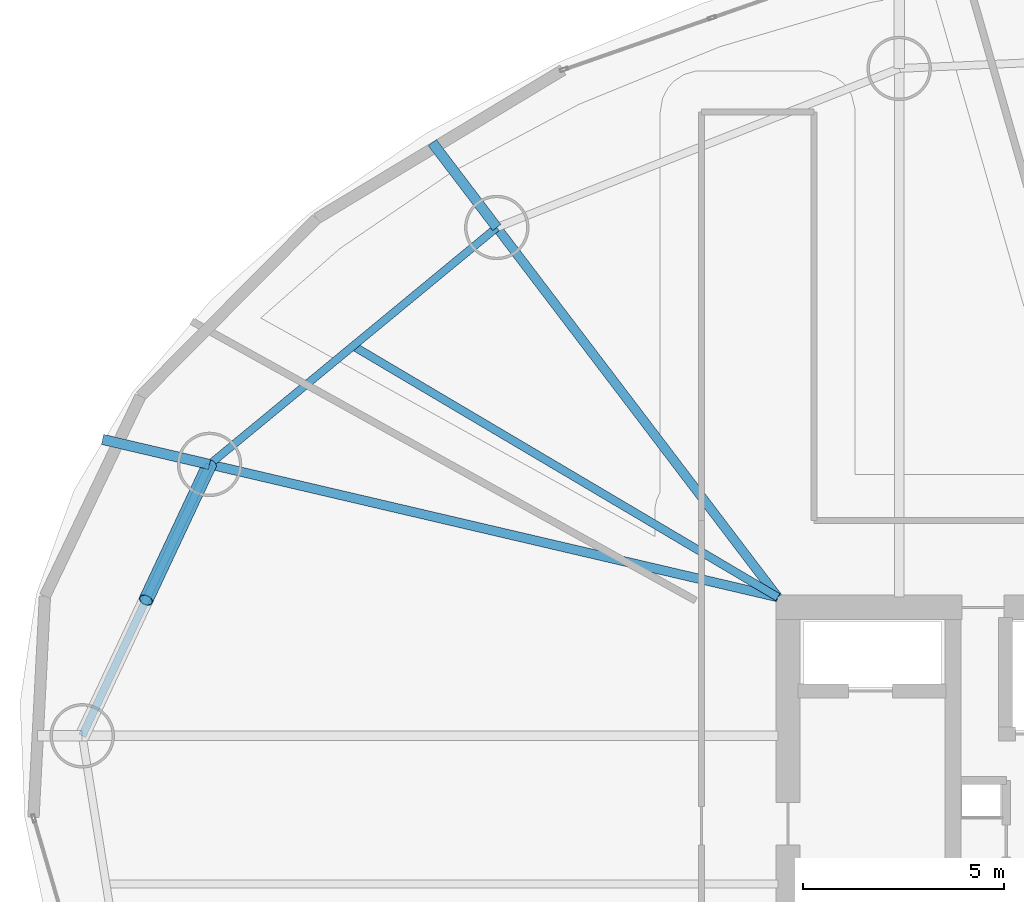
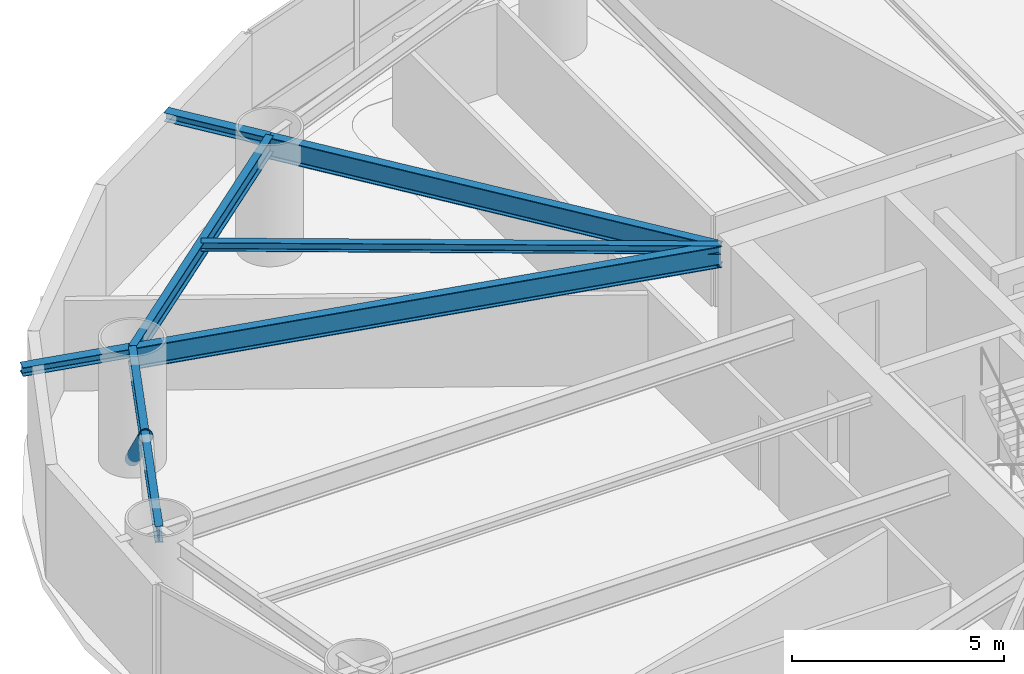
# One storey, part 16 of 30: 7 beams, 1 member.
"""IFC4 building model written with IfcOpenShell, lengths in metres."""

from ifc_helpers import new_model, si_unit, direction, frame, origin, origin_2d, place, context, subcontext, project, spatial, hollow_circle, i_section, extrude, material, material_profile, profile_set, type_object, element, save


model = new_model("IFC4")

# Units and contexts
model_context = context("Model", 3, precision=1e-05, world=origin(), true_north=direction((0.0, 1.0)))
body_context = subcontext(model_context, "Body", "Model", "MODEL_VIEW")
ifc_project = project(units=[si_unit("LENGTHUNIT", "METRE"), si_unit("AREAUNIT", "SQUARE_METRE"), si_unit("VOLUMEUNIT", "CUBIC_METRE"), si_unit("PLANEANGLEUNIT", "RADIAN"), si_unit("MASSUNIT", "GRAM", prefix="KILO")], contexts=[model_context])

# Site, building, storey
site_placement = place(None, origin())
site = spatial("IfcSite", under=ifc_project, at=site_placement, CompositionType="ELEMENT")
building_placement = place(site_placement, origin())
building = spatial("IfcBuilding", under=site, at=building_placement, Name="Bramvorn Convention Spire", CompositionType="ELEMENT")
storey_placement = place(building_placement, frame((0.0, 0.0, 90.39990234375)))
storey = spatial("IfcBuildingStorey", under=building, at=storey_placement, Name="L21", CompositionType="ELEMENT", Elevation=90.39990234375)

# Beams
ifc_material = material(Name="Steel CSA G40.21 Grade 350 (350W)", Category="steel")
ifc_material_profile_1 = material_profile(ifc_material, i_section(OverallWidth=0.201904296875, OverallDepth=0.2470703125, WebThickness=0.00732421875, FlangeThickness=0.010986328125, FilletRadius=0.011962890625, at=origin_2d()))
ifc_profile_set_1 = profile_set([ifc_material_profile_1], Name="Steel CSA G40.21 Grade 350 (350W) - W250X49")
beam_type_1 = type_object("IfcBeamType", Name="BM-W250X49", PredefinedType="JOIST", material=ifc_profile_set_1)
beam_1_placement = place(storey_placement, frame((26.75, 33.449951171875, 3.126708984375), z_axis=(-0.860664556648, 0.509172388223, 0.0), x_axis=(-0.509172388223, -0.860664556648, 0.0)))
element("IfcBeam", 1, at=beam_1_placement, inside=storey, type_object=beam_type_1, Name="L21 composite floor joist 07", PredefinedType="JOIST", context=body_context, shape_type="SweptSolid", body=[
    extrude(i_section(OverallWidth=0.201904296875, OverallDepth=0.2470703125, WebThickness=0.00732421875, FlangeThickness=0.010986328125, FilletRadius=0.011962890625, at=origin_2d()), origin(), (0.0, 0.0, 1.0), 12.25048828125),
])
ifc_material_profile_2 = material_profile(ifc_material, i_section(OverallWidth=0.25390625, OverallDepth=0.2529296875, WebThickness=0.008544921875, FlangeThickness=0.01416015625, FilletRadius=0.011962890625, at=origin_2d()))
ifc_profile_set_2 = profile_set([ifc_material_profile_2], Name="Steel CSA G40.21 Grade 350 (350W) - W250X73")
beam_type_2 = type_object("IfcBeamType", Name="BM-W250X73", PredefinedType="BEAM", material=ifc_profile_set_2)
beam_2_placement = place(storey_placement, frame((19.772216796875, 42.628662109375, 3.12353515625), z_axis=(-0.605186245551, 0.796083920322, 0.0), x_axis=(-0.796083920322, -0.605186245551, 0.0)))
element("IfcBeam", 2, at=beam_2_placement, inside=storey, type_object=beam_type_2, Name="L21 slab-edge cantilever tip beam MC07", PredefinedType="BEAM", context=body_context, shape_type="SweptSolid", body=[
    extrude(i_section(OverallWidth=0.25390625, OverallDepth=0.2529296875, WebThickness=0.008544921875, FlangeThickness=0.01416015625, FilletRadius=0.011962890625, at=origin_2d()), origin(), (0.0, 0.0, 1.0), 2.644775390625),
])
beam_3_placement = place(storey_placement, frame((12.64111328125, 36.746337890625, 3.12353515625), z_axis=(-0.973781082474, 0.227487150002, 0.0), x_axis=(-0.227487150002, -0.973781082474, 0.0)))
element("IfcBeam", 3, at=beam_3_placement, inside=storey, type_object=beam_type_2, Name="L21 slab-edge cantilever tip beam MC08", PredefinedType="BEAM", context=body_context, shape_type="SweptSolid", body=[
    extrude(i_section(OverallWidth=0.25390625, OverallDepth=0.2529296875, WebThickness=0.008544921875, FlangeThickness=0.01416015625, FilletRadius=0.011962890625, at=origin_2d()), origin(), (0.0, 0.0, 1.0), 2.72705078125),
])
ifc_material_profile_3 = material_profile(ifc_material, i_section(OverallWidth=0.194091796875, OverallDepth=0.468994140625, WebThickness=0.0126953125, FlangeThickness=0.0205078125, FilletRadius=0.01806640625, at=origin_2d()))
ifc_profile_set_3 = profile_set([ifc_material_profile_3], Name="Steel CSA G40.21 Grade 350 (350W) - W460X106")
beam_type_3 = type_object("IfcBeamType", Name="BM-W460X106", PredefinedType="SPANDREL", material=ifc_profile_set_3)
beam_4_placement = place(storey_placement, frame((19.772216796875, 42.628662109375, 3.015625), z_axis=(-0.771417680101, -0.636329130896, 0.0), x_axis=(0.636329130896, -0.771417680101, 0.0)))
element("IfcBeam", 4, at=beam_4_placement, inside=storey, type_object=beam_type_3, Name="L21 mega-column ring beam 07", PredefinedType="SPANDREL", context=body_context, shape_type="SweptSolid", body=[
    extrude(i_section(OverallWidth=0.194091796875, OverallDepth=0.468994140625, WebThickness=0.0126953125, FlangeThickness=0.0205078125, FilletRadius=0.01806640625, at=origin_2d()), origin(), (0.0, 0.0, 1.0), 9.244140625),
])
beam_5_placement = place(storey_placement, frame((12.64111328125, 36.746337890625, 3.015625), z_axis=(-0.424701955478, -0.9053332254, 0.0), x_axis=(0.9053332254, -0.424701955478, 0.0)))
element("IfcBeam", 5, at=beam_5_placement, inside=storey, type_object=beam_type_3, Name="L21 mega-column ring beam 08", PredefinedType="SPANDREL", context=body_context, shape_type="SweptSolid", body=[
    extrude(i_section(OverallWidth=0.194091796875, OverallDepth=0.468994140625, WebThickness=0.0126953125, FlangeThickness=0.0205078125, FilletRadius=0.01806640625, at=origin_2d()), origin(), (0.0, 0.0, 1.0), 7.442626953125),
])
ifc_material_profile_4 = material_profile(ifc_material, i_section(OverallWidth=0.22998046875, OverallDepth=0.616943359375, WebThickness=0.01318359375, FlangeThickness=0.022216796875, FilletRadius=0.02001953125, at=origin_2d()))
ifc_profile_set_4 = profile_set([ifc_material_profile_4], Name="Steel CSA G40.21 Grade 350 (350W) - W610X140")
beam_type_4 = type_object("IfcBeamType", Name="BM-W610X140", PredefinedType="BEAM", material=ifc_profile_set_4)
beam_6_placement = place(storey_placement, frame((26.75, 33.449951171875, 2.941650390625), z_axis=(-0.605191175112, 0.796080172826, 0.0), x_axis=(-0.796080172826, -0.605191175112, 0.0)))
element("IfcBeam", 6, at=beam_6_placement, inside=storey, type_object=beam_type_4, Name="L21 radial floor girder MC07", PredefinedType="BEAM", context=body_context, shape_type="SweptSolid", body=[
    extrude(i_section(OverallWidth=0.22998046875, OverallDepth=0.616943359375, WebThickness=0.01318359375, FlangeThickness=0.022216796875, FilletRadius=0.02001953125, at=origin_2d()), origin(), (0.0, 0.0, 1.0), 11.52978515625),
])
beam_7_placement = place(storey_placement, frame((26.75, 33.449951171875, 2.941650390625), z_axis=(-0.973775294862, 0.227511923018, 0.0), x_axis=(-0.227511923018, -0.973775294862, 0.0)))
element("IfcBeam", 7, at=beam_7_placement, inside=storey, type_object=beam_type_4, Name="L21 radial floor girder MC08", PredefinedType="BEAM", context=body_context, shape_type="SweptSolid", body=[
    extrude(i_section(OverallWidth=0.22998046875, OverallDepth=0.616943359375, WebThickness=0.01318359375, FlangeThickness=0.022216796875, FilletRadius=0.02001953125, at=origin_2d()), origin(), (0.0, 0.0, 1.0), 14.48876953125),
])

# Member
ifc_material_profile_5 = material_profile(ifc_material, hollow_circle(Radius=0.177734375, WallThickness=0.015869140625, at=origin_2d()))
ifc_profile_set_5 = profile_set([ifc_material_profile_5], Name="Steel CSA G40.21 Grade 350 (350W) - CHS356X16")
member_type = type_object("IfcMemberType", Name="MBR-CHS356X16", PredefinedType="BRACE", material=ifc_profile_set_5)
member_placement = place(storey_placement, frame((12.64111328125, 36.746337890625, 0.0), z_axis=(-0.319854623913, -0.681908513826, 0.65779464754), x_axis=(0.905351753695, -0.424662456643, 0.0)))
element("IfcMember", 8, at=member_placement, inside=storey, type_object=member_type, Name="L21 perimeter Gothic lancet brace 8A", PredefinedType="BRACE", context=body_context, shape_type="SweptSolid", body=[
    extrude(hollow_circle(Radius=0.177734375, WallThickness=0.015869140625, at=origin_2d()), origin(), (0.0, 0.0, 1.0), 4.940673828125),
])

save(model, "model.ifc")
